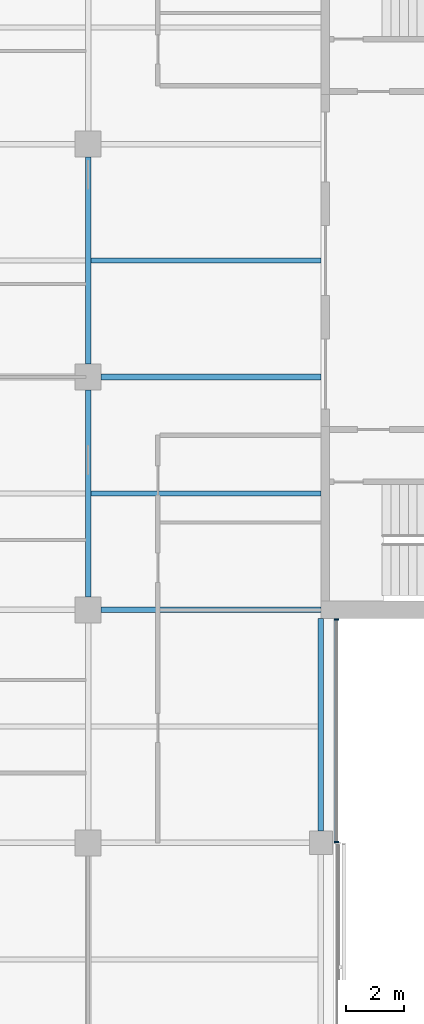
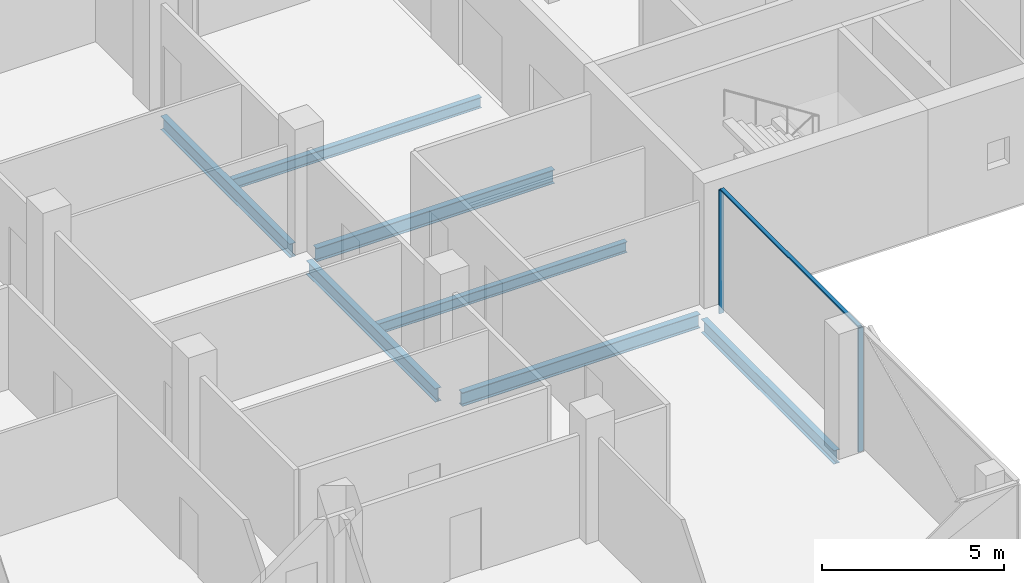
# One storey, part 4 of 15: 7 beams, 3 members, 1 element without a shape of its own.
"""IFC4 building model written with IfcOpenShell, lengths in metres."""

from ifc_helpers import new_model, si_unit, direction, frame, origin, origin_2d, place, context, subcontext, project, spatial, rectangle, i_section, extrude, material, material_profile, profile_set, type_object, element, aggregate, save


model = new_model("IFC4")

# Units and contexts
model_context = context("Model", 3, precision=1e-05, world=origin(), true_north=direction((0.0, 1.0)))
body_context = subcontext(model_context, "Body", "Model", "MODEL_VIEW")
ifc_project = project(units=[si_unit("LENGTHUNIT", "METRE"), si_unit("AREAUNIT", "SQUARE_METRE"), si_unit("VOLUMEUNIT", "CUBIC_METRE"), si_unit("PLANEANGLEUNIT", "RADIAN"), si_unit("MASSUNIT", "GRAM", prefix="KILO")], contexts=[model_context])

# Site, building, storey
site_placement = place(None, origin())
site = spatial("IfcSite", under=ifc_project, at=site_placement, CompositionType="ELEMENT")
building_placement = place(site_placement, origin())
building = spatial("IfcBuilding", under=site, at=building_placement, Name="Crosswind Convention Tower", CompositionType="ELEMENT")
storey_placement = place(building_placement, frame((0.0, 0.0, 199.89990234375)))
storey = spatial("IfcBuildingStorey", under=building, at=storey_placement, Name="L42", CompositionType="ELEMENT", Elevation=199.89990234375)

# Beams
ifc_material_1 = material(Name="Steel S355", Category="steel")
ifc_material_profile_1 = material_profile(ifc_material_1, i_section(OverallWidth=0.18994140625, OverallDepth=0.45361328125, WebThickness=0.008544921875, FlangeThickness=0.0126953125, FilletRadius=0.01025390625, at=origin_2d()), Name="UB 457x191x67")
ifc_profile_set_1 = profile_set([ifc_material_profile_1], Name="Steel S355")
beam_type_1 = type_object("IfcBeamType", Name="Edge beam UB 457x191x67", PredefinedType="SPANDREL", material=ifc_profile_set_1)
beam_placement = place(storey_placement, frame((137.0, 80.39990234375, -0.526611328125), z_axis=(0.0, 1.0, 0.0), x_axis=(-1.0, 0.0, 0.0)))
element("IfcBeam", 1, at=beam_placement, inside=storey, type_object=beam_type_1, Name="B16 L42 edge beam 12", PredefinedType="SPANDREL", context=body_context, shape_type="SweptSolid", body=[
    extrude(i_section(OverallWidth=0.18994140625, OverallDepth=0.45361328125, WebThickness=0.008544921875, FlangeThickness=0.0126953125, FilletRadius=0.01025390625, at=origin_2d()), origin(), (0.0, 0.0, 1.0), 7.300048828125),
])
ifc_material_profile_2 = material_profile(ifc_material_1, i_section(OverallWidth=0.1904296875, OverallDepth=0.457275390625, WebThickness=0.009033203125, FlangeThickness=0.014404296875, FilletRadius=0.01025390625, at=origin_2d()), Name="UB 457x191x75")
ifc_profile_set_2 = profile_set([ifc_material_profile_2], Name="Steel S355")
beam_type_2 = type_object("IfcBeamType", Name="Girder UB 457x191x75", PredefinedType="BEAM", material=ifc_profile_set_2)
for number, where, z_axis, x_axis, name in (
    (2, (129.0, 88.449951171875, -0.528564453125), (0.0, 1.0, 0.0), (-1.0, 0.0, 0.0), "B2 L42 girder 18"),
    (3, (129.0, 96.449951171875, -0.528564453125), (0.0, 1.0, 0.0), (-1.0, 0.0, 0.0), "B2 L42 girder 19"),
):
    element("IfcBeam", number, at=place(storey_placement, frame(where, z_axis=z_axis, x_axis=x_axis)), inside=storey, type_object=beam_type_2, Name=name, PredefinedType="BEAM", context=body_context, shape_type="SweptSolid", body=[
        extrude(i_section(OverallWidth=0.1904296875, OverallDepth=0.457275390625, WebThickness=0.009033203125, FlangeThickness=0.014404296875, FilletRadius=0.01025390625, at=origin_2d()), origin(), (0.0, 0.0, 1.0), 7.10009765625),
    ])
ifc_material_profile_3 = material_profile(ifc_material_1, i_section(OverallWidth=0.19140625, OverallDepth=0.460205078125, WebThickness=0.010009765625, FlangeThickness=0.01611328125, FilletRadius=0.01025390625, at=origin_2d()), Name="UB 457x191x82")
ifc_profile_set_3 = profile_set([ifc_material_profile_3], Name="Steel S355")
beam_type_3 = type_object("IfcBeamType", Name="Girder at core wall UB 457x191x82", PredefinedType="BEAM", material=ifc_profile_set_3)
for number, where, z_axis, x_axis, name in (
    (4, (129.449951171875, 88.0, -0.530029296875), (1.0, 0.0, 0.0), (0.0, 1.0, 0.0), "B23 L42 girder at core wall 5"),
    (5, (129.449951171875, 96.0, -0.530029296875), (1.0, 0.0, 0.0), (0.0, 1.0, 0.0), "B23 L42 girder at core wall 6"),
):
    element("IfcBeam", number, at=place(storey_placement, frame(where, z_axis=z_axis, x_axis=x_axis)), inside=storey, type_object=beam_type_3, Name=name, PredefinedType="BEAM", context=body_context, shape_type="SweptSolid", body=[
        extrude(i_section(OverallWidth=0.19140625, OverallDepth=0.460205078125, WebThickness=0.010009765625, FlangeThickness=0.01611328125, FilletRadius=0.01025390625, at=origin_2d()), origin(), (0.0, 0.0, 1.0), 7.550048828125),
    ])

# Curtain wall, members
ifc_material_2 = material(Name="Aluminium unitised curtain wall", Category="aluminium")
curtain_wall_type = type_object("IfcCurtainWallType", Name="CORE END SLOT WALL 160", PredefinedType="USERDEFINED", material=ifc_material_2)
curtain_wall_placement = place(storey_placement, origin())
curtain_wall = element("IfcCurtainWall", 6, at=curtain_wall_placement, inside=storey, type_object=curtain_wall_type, Name="CW6 L42 S-E.1-2 slot", ObjectType="UNITISED", PredefinedType="USERDEFINED")
ifc_material_3 = material(Name="Aluminium mullion", Category="aluminium")
ifc_material_profile_4 = material_profile(ifc_material_3, rectangle(XDim=0.159912109375, YDim=0.050048828125, at=origin_2d()), Name="AL 160X50")
ifc_profile_set_4 = profile_set([ifc_material_profile_4], Name="Aluminium mullion")
member_type_1 = type_object("IfcMemberType", Name="MULLION 50X160", PredefinedType="MULLION", material=ifc_profile_set_4)
member_1_placement = place(storey_placement, frame((137.530029296875, 80.02490234375, -0.2998046875), z_axis=(0.0, 0.0, 1.0), x_axis=(1.0, 0.0, 0.0)))
member_1 = element("IfcMember", 7, at=member_1_placement, type_object=member_type_1, Name="CW6 mullion 1", PredefinedType="MULLION", context=body_context, shape_type="SweptSolid", body=[
    extrude(rectangle(XDim=0.159912109375, YDim=0.050048828125, at=origin_2d()), origin(), (0.0, 0.0, 1.0), 4.14990234375),
])
member_2_placement = place(storey_placement, frame((137.530029296875, 87.675048828125, -0.2998046875), z_axis=(0.0, 0.0, 1.0), x_axis=(1.0, 0.0, 0.0)))
member_2 = element("IfcMember", 8, at=member_2_placement, type_object=member_type_1, Name="CW6 mullion 2", PredefinedType="MULLION", context=body_context, shape_type="SweptSolid", body=[
    extrude(rectangle(XDim=0.159912109375, YDim=0.050048828125, at=origin_2d()), origin(), (0.0, 0.0, 1.0), 4.14990234375),
])

# Beams
ifc_material_profile_5 = material_profile(ifc_material_1, i_section(OverallWidth=0.172119140625, OverallDepth=0.358642578125, WebThickness=0.008056640625, FlangeThickness=0.012939453125, FilletRadius=0.01025390625, at=origin_2d()), Name="UB 356x171x57")
ifc_profile_set_5 = profile_set([ifc_material_profile_5], Name="Steel S355")
beam_type_4 = type_object("IfcBeamType", Name="Secondary beam UB 356x171x57", PredefinedType="JOIST", material=ifc_profile_set_5)
for number, where, z_axis, x_axis, name in (
    (9, (129.09521484375, 92.0, -0.479248046875), (1.0, 0.0, 0.0), (0.0, 1.0, 0.0), "B9 L42 secondary beam 17"),
    (10, (129.09521484375, 100.0, -0.479248046875), (1.0, 0.0, 0.0), (0.0, 1.0, 0.0), "B9 L42 secondary beam 18"),
):
    element("IfcBeam", number, at=place(storey_placement, frame(where, z_axis=z_axis, x_axis=x_axis)), inside=storey, type_object=beam_type_4, Name=name, PredefinedType="JOIST", context=body_context, shape_type="SweptSolid", body=[
        extrude(i_section(OverallWidth=0.172119140625, OverallDepth=0.358642578125, WebThickness=0.008056640625, FlangeThickness=0.012939453125, FilletRadius=0.01025390625, at=origin_2d()), origin(), (0.0, 0.0, 1.0), 7.90478515625),
    ])

# Member
ifc_material_4 = material(Name="Aluminium transom", Category="aluminium")
ifc_material_profile_6 = material_profile(ifc_material_4, rectangle(XDim=0.1201171875, YDim=0.050048828125, at=origin_2d()), Name="AL 120X50")
ifc_profile_set_6 = profile_set([ifc_material_profile_6], Name="Aluminium transom")
member_type_2 = type_object("IfcMemberType", Name="TRANSOM 50X120", PredefinedType="USERDEFINED", material=ifc_profile_set_6)
member_3_placement = place(storey_placement, frame((137.530029296875, 80.050048828125, 3.875), z_axis=(0.0, 1.0, 0.0), x_axis=(-1.0, 0.0, 0.0)))
member_3 = element("IfcMember", 11, at=member_3_placement, type_object=member_type_2, Name="CW6 transom", ObjectType="TRANSOM", PredefinedType="USERDEFINED", context=body_context, shape_type="SweptSolid", body=[
    extrude(rectangle(XDim=0.1201171875, YDim=0.050048828125, at=origin_2d()), origin(), (0.0, 0.0, 1.0), 7.599853515625),
])

aggregate(curtain_wall, [member_1, member_2, member_3])

save(model, "model.ifc")
